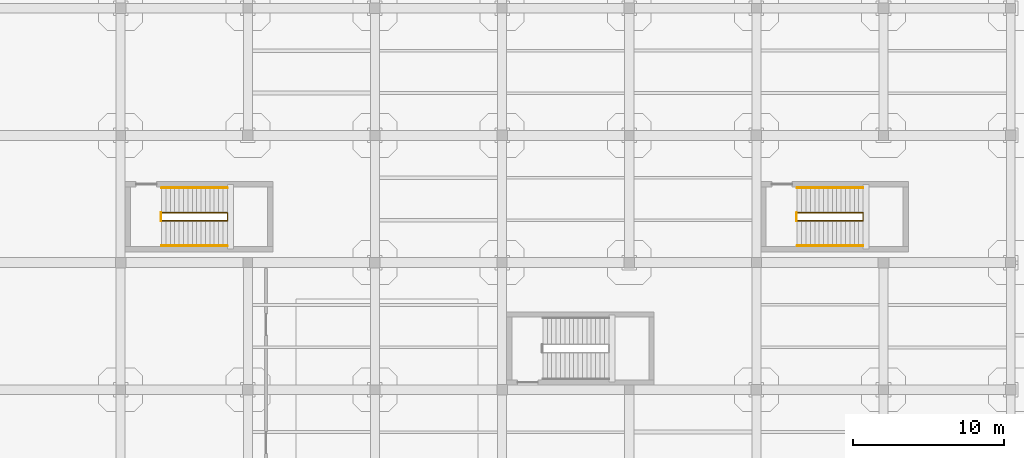
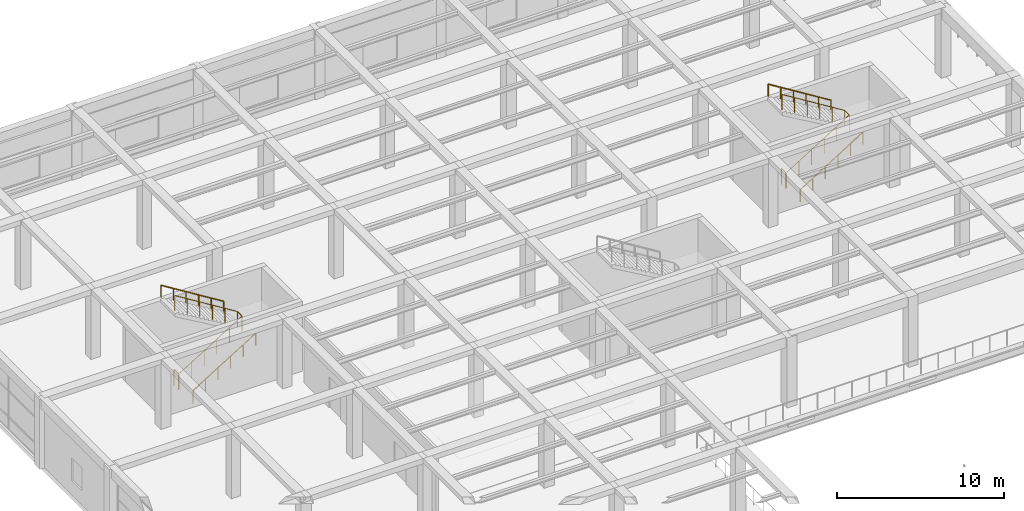
# One storey, part 59 of 65: 8 railings.
"""IFC4 building model written with IfcOpenShell, lengths in metres."""

import ifcopenshell
import ifcopenshell.guid

model = None  # the IFC model being written
_history = None  # IfcOwnerHistory: only IFC2X3 demands one
_inside = {}  # id of a spatial element -> (the spatial element, [elements in it])
_under = {}  # id of a project, library or spatial element -> (it, [spatial elements below it])
_declared = {}  # id of a project -> (the project, [libraries it declares])
_typed = {}  # id of a type object -> (the type object, [elements of that type])
_made_of = {}  # id of a material, layer set ... -> (it, [elements and type objects made of it])


def new_model(schema):
    """Start an empty IFC model of exactly this schema.

    Asked for "IFC4X3", IfcOpenShell would pick the latest addendum, in which some entities
    have other attributes; the version numbers below select the first issue.
    IFC2X3 requires an IfcOwnerHistory on every rooted entity: one is made here for all.
    """
    global model, _history
    if schema == "IFC4X3":
        model = ifcopenshell.file(schema_version=(4, 3, 0, 0))
    else:
        model = ifcopenshell.file(schema=schema)
    _inside.clear()
    _under.clear()
    _declared.clear()
    _typed.clear()
    _made_of.clear()
    _history = None
    if model.schema == "IFC2X3":
        org = make("IfcOrganization", Name="unknown")
        user = make(
            "IfcPersonAndOrganization",
            ThePerson=make("IfcPerson", FamilyName="unknown"),
            TheOrganization=org,
        )
        app = make(
            "IfcApplication",
            ApplicationDeveloper=org,
            Version="unknown",
            ApplicationFullName="unknown",
            ApplicationIdentifier="unknown",
        )
        _history = make(
            "IfcOwnerHistory",
            OwningUser=user,
            OwningApplication=app,
            ChangeAction="ADDED",
            CreationDate=0,
        )
    return model


def make(cls, **values):
    """One entity of the class cls with the attributes given. An attribute that is None is left unset."""
    return model.create_entity(
        cls, **{name: value for name, value in values.items() if value is not None}
    )


def rooted(cls, **values):
    """An entity with a GlobalId (a new one), such as an element, a storey or a relation."""
    return make(cls, GlobalId=ifcopenshell.guid.new(), OwnerHistory=_history, **values)


def si_unit(unit_type, name, prefix=None):
    """IfcSIUnit, for example si_unit("LENGTHUNIT", "METRE", prefix="MILLI")."""
    return make("IfcSIUnit", UnitType=unit_type, Prefix=prefix, Name=name)


def assignment(units):
    """IfcUnitAssignment: the units of a project."""
    return None if units is None else make("IfcUnitAssignment", Units=units)


def point(xyz):
    """IfcCartesianPoint."""
    return None if xyz is None else make("IfcCartesianPoint", Coordinates=xyz)


def direction(xyz):
    """IfcDirection."""
    return None if xyz is None else make("IfcDirection", DirectionRatios=xyz)


def frame(location, z_axis=None, x_axis=None):
    """IfcAxis2Placement3D, a coordinate frame: its origin and axes. An axis left out is left unset."""
    return make(
        "IfcAxis2Placement3D",
        Location=point(location),
        Axis=direction(z_axis),
        RefDirection=direction(x_axis),
    )


def frame_2d(location, x_axis=None):
    """IfcAxis2Placement2D, a coordinate frame in the plane: its origin and x axis."""
    return make(
        "IfcAxis2Placement2D", Location=point(location), RefDirection=direction(x_axis)
    )


def origin():
    """The frame at (0, 0, 0) with its axes left unset."""
    return frame((0.0, 0.0, 0.0))


def origin_2d():
    """The frame at (0, 0) in the plane with its x axis left unset."""
    return frame_2d((0.0, 0.0))


def place(relative_to, where):
    """IfcLocalPlacement: puts the frame where relative to a parent placement (None: the world)."""
    return make(
        "IfcLocalPlacement", PlacementRelTo=relative_to, RelativePlacement=where
    )


def context(
    kind, dimensions, precision=None, world=None, true_north=None, identifier=None
):
    """IfcGeometricRepresentationContext, for example the 3D "Model" context."""
    return make(
        "IfcGeometricRepresentationContext",
        ContextIdentifier=identifier,
        ContextType=kind,
        CoordinateSpaceDimension=dimensions,
        Precision=precision,
        WorldCoordinateSystem=world,
        TrueNorth=true_north,
    )


def subcontext(parent, identifier, kind, view, scale=None):
    """IfcGeometricRepresentationSubContext, for example "Body" below "Model"."""
    return make(
        "IfcGeometricRepresentationSubContext",
        ContextIdentifier=identifier,
        ContextType=kind,
        ParentContext=parent,
        TargetScale=scale,
        TargetView=view,
    )


def project(units=None, contexts=None):
    """IfcProject with its units and contexts."""
    return rooted(
        "IfcProject",
        Name="project",
        RepresentationContexts=contexts,
        UnitsInContext=assignment(units),
    )


def spatial(cls, under=None, at=None, **own):
    """A site, building, storey or space (cls), placed at a placement, below another one or the project."""
    s = rooted(cls, ObjectPlacement=at, **own)
    if under is not None:
        _under.setdefault(under.id(), (under, []))[1].append(s)
    return s


def profile(cls, at=None, kind="AREA", **sizes):
    """A parametric profile (cls). Its sizes go by their IFC names, for example OverallWidth=200.0."""
    return make(cls, ProfileType=kind, Position=at, **sizes)


def circle(**sizes):
    """IfcCircleProfileDef."""
    return profile("IfcCircleProfileDef", **sizes)


def extrude(swept, where, along, depth):
    """IfcExtrudedAreaSolid: the profile swept, set in the frame where, extruded along a direction by depth."""
    return make(
        "IfcExtrudedAreaSolid",
        SweptArea=swept,
        Position=where,
        ExtrudedDirection=direction(along),
        Depth=depth,
    )


def shape(context_of_items, identifier, shape_type, items):
    """IfcShapeRepresentation: the items that make up one representation, for example the "Body"."""
    return make(
        "IfcShapeRepresentation",
        ContextOfItems=context_of_items,
        RepresentationIdentifier=identifier,
        RepresentationType=shape_type,
        Items=items,
    )


def material(Name=None, Category=None):
    """IfcMaterial."""
    return make("IfcMaterial", Name=Name, Category=Category)


def made_of(thing, what):
    """Note that an element or type object is made of a material, layer set ...; save() writes the relation."""
    if what is not None:
        _made_of.setdefault(what.id(), (what, []))[1].append(thing)
    return thing


def type_object(cls, material=None, **own):
    """A type object (cls), such as IfcWallType, which elements share."""
    return made_of(rooted(cls, **own), material)


def element(
    cls,
    number,
    at=None,
    inside=None,
    cuts=None,
    type_object=None,
    material=None,
    context=None,
    identifier="Body",
    shape_type=None,
    held_by="IfcProductDefinitionShape",
    body=None,
    shapes=None,
    **own,
):
    """One element of the class cls, such as IfcWall. Its Tag is "e" and its number.

    at: its placement. inside: the storey or other place that contains it. cuts: it is an
    opening in that element (IfcRelVoidsElement). A single representation is given by context,
    identifier, shape_type and body (its items); several are given by shapes. held_by: the class
    of the entity that holds the representations. save() writes the other relations.
    """
    e = rooted(cls, Tag="e%d" % number, ObjectPlacement=at, **own)
    if body is not None:
        shapes = [shape(context, identifier, shape_type, body)]
    if shapes is not None:
        e.Representation = make(held_by, Representations=shapes)
    if inside is not None:
        _inside.setdefault(inside.id(), (inside, []))[1].append(e)
    if cuts is not None:
        rooted(
            "IfcRelVoidsElement", RelatingBuildingElement=cuts, RelatedOpeningElement=e
        )
    if type_object is not None:
        _typed.setdefault(type_object.id(), (type_object, []))[1].append(e)
    return made_of(e, material)


def aggregate(whole, parts):
    """IfcRelAggregates: a whole, such as a stair, and the parts it consists of."""
    return rooted("IfcRelAggregates", RelatingObject=whole, RelatedObjects=parts)


def save(model, path):
    """Write the relations noted so far, then the file.

    IfcRelAggregates (storeys below a building ...), IfcRelContainedInSpatialStructure (elements
    in a storey), IfcRelDefinesByType, IfcRelAssociatesMaterial and IfcRelDeclares: one each for
    every whole, place, type object, material and project.
    """
    for whole, parts in _under.values():
        aggregate(whole, parts)
    for where, things in _inside.values():
        rooted(
            "IfcRelContainedInSpatialStructure",
            RelatedElements=things,
            RelatingStructure=where,
        )
    for kind, things in _typed.values():
        rooted("IfcRelDefinesByType", RelatedObjects=things, RelatingType=kind)
    for what, things in _made_of.values():
        rooted("IfcRelAssociatesMaterial", RelatedObjects=things, RelatingMaterial=what)
    for by, libraries in _declared.values():
        rooted("IfcRelDeclares", RelatingContext=by, RelatedDefinitions=libraries)
    model.write(path)


model = new_model("IFC4")

# Units and contexts
model_context = context("Model", 3, precision=1e-05, world=origin(), true_north=direction((0.0, 1.0)))
body_context = subcontext(model_context, "Body", "Model", "MODEL_VIEW")
ifc_project = project(units=[si_unit("LENGTHUNIT", "METRE"), si_unit("AREAUNIT", "SQUARE_METRE"), si_unit("VOLUMEUNIT", "CUBIC_METRE"), si_unit("PLANEANGLEUNIT", "RADIAN"), si_unit("MASSUNIT", "GRAM", prefix="KILO")], contexts=[model_context])

# Site, building, storey
site_placement = place(None, origin())
site = spatial("IfcSite", under=ifc_project, at=site_placement, CompositionType="ELEMENT")
building_placement = place(site_placement, origin())
building = spatial("IfcBuilding", under=site, at=building_placement, Name="Almacenes y Pasaje Nevantli", CompositionType="ELEMENT")
storey_placement = place(building_placement, frame((0.0, 0.0, 16.800048828125)))
storey = spatial("IfcBuildingStorey", under=building, at=storey_placement, Name="L04", CompositionType="ELEMENT", Elevation=16.800048828125)

# Railings
ifc_material_1 = material(Name="Brushed Stainless Steel and Tempered Safety Glass", Category="steel")
railing_type_1 = type_object("IfcRailingType", Name="RL-GUARD-1100", PredefinedType="BALUSTRADE", material=ifc_material_1)
railing_1_placement = place(storey_placement, frame((11.10009765625, 95.159912109375, 0.0)))
element("IfcRailing", 1, at=railing_1_placement, inside=storey, type_object=railing_type_1, Name="L04 Stair ST-03 Inner Well Guard Balustrade", PredefinedType="BALUSTRADE", context=body_context, shape_type="SweptSolid", body=[
    extrude(circle(Radius=0.02392578125, at=origin_2d()), frame((0.025390625, 0.0, 1.1416015625), z_axis=(0.849636482215, 0.0, 0.527368797038), x_axis=(0.0, 1.0, 0.0)), (0.0, 0.0, 1.0), 5.0595703125),
    extrude(circle(Radius=0.02392578125, at=origin_2d()), frame((4.349853515625, 0.030029296875, 3.82568359375), z_axis=(0.0, 1.0, 0.0), x_axis=(-1.0, 0.0, 0.0)), (0.0, 0.0, 1.0), 0.469970703125),
    extrude(circle(Radius=0.02392578125, at=origin_2d()), frame((4.324462890625, 0.530029296875, 3.841552734375), z_axis=(-0.849636482215, 0.0, 0.527368797038), x_axis=(0.0, -1.0, 0.0)), (0.0, 0.0, 1.0), 5.0595703125),
    extrude(circle(Radius=0.02099609375, at=origin_2d()), origin(), (0.0, 0.0, 1.0), 1.096923828125),
    extrude(circle(Radius=0.02099609375, at=origin_2d()), frame((0.869873046875, 0.0, 0.5400390625)), (0.0, 0.0, 1.0), 1.096923828125),
    extrude(circle(Radius=0.02099609375, at=origin_2d()), frame((1.739990234375, 0.0, 1.080078125)), (0.0, 0.0, 1.0), 1.096923828125),
    extrude(circle(Radius=0.02099609375, at=origin_2d()), frame((2.60986328125, 0.0, 1.619873046875)), (0.0, 0.0, 1.0), 1.096923828125),
    extrude(circle(Radius=0.02099609375, at=origin_2d()), frame((3.47998046875, 0.0, 2.159912109375)), (0.0, 0.0, 1.0), 1.096923828125),
    extrude(circle(Radius=0.02099609375, at=origin_2d()), frame((4.349853515625, 0.0, 2.699951171875)), (0.0, 0.0, 1.0), 1.096923828125),
    extrude(circle(Radius=0.02099609375, at=origin_2d()), frame((4.349853515625, 0.530029296875, 2.699951171875)), (0.0, 0.0, 1.0), 1.096923828125),
    extrude(circle(Radius=0.02099609375, at=origin_2d()), frame((3.47998046875, 0.530029296875, 3.239990234375)), (0.0, 0.0, 1.0), 1.096923828125),
    extrude(circle(Radius=0.02099609375, at=origin_2d()), frame((2.60986328125, 0.530029296875, 3.780029296875)), (0.0, 0.0, 1.0), 1.096923828125),
    extrude(circle(Radius=0.02099609375, at=origin_2d()), frame((1.739990234375, 0.530029296875, 4.31982421875)), (0.0, 0.0, 1.0), 1.096923828125),
    extrude(circle(Radius=0.02099609375, at=origin_2d()), frame((0.869873046875, 0.530029296875, 4.85986328125)), (0.0, 0.0, 1.0), 1.096923828125),
    extrude(circle(Radius=0.02099609375, at=origin_2d()), frame((0.0, 0.530029296875, 5.39990234375)), (0.0, 0.0, 1.0), 1.096923828125),
])
railing_2_placement = place(storey_placement, frame((11.06005859375, 95.159912109375, 0.0)))
element("IfcRailing", 2, at=railing_2_placement, inside=storey, type_object=railing_type_1, Name="L04 Stair ST-03 Landing Well Slot Guard", PredefinedType="BALUSTRADE", context=body_context, shape_type="SweptSolid", body=[
    extrude(circle(Radius=0.02392578125, at=origin_2d()), frame((0.0, 0.030029296875, 1.1259765625), z_axis=(0.0, 1.0, 0.0), x_axis=(-1.0, 0.0, 0.0)), (0.0, 0.0, 1.0), 0.469970703125),
    extrude(circle(Radius=0.02099609375, at=origin_2d()), origin(), (0.0, 0.0, 1.0), 1.096923828125),
    extrude(circle(Radius=0.02099609375, at=origin_2d()), frame((0.0, 0.530029296875, 0.0)), (0.0, 0.0, 1.0), 1.096923828125),
])
railing_3_placement = place(storey_placement, frame((53.10009765625, 95.159912109375, 0.0)))
element("IfcRailing", 3, at=railing_3_placement, inside=storey, type_object=railing_type_1, Name="L04 Stair ST-05 Inner Well Guard Balustrade", PredefinedType="BALUSTRADE", context=body_context, shape_type="SweptSolid", body=[
    extrude(circle(Radius=0.02392578125, at=origin_2d()), frame((0.025390625, 0.0, 1.1416015625), z_axis=(0.849636482215, 0.0, 0.527368797038), x_axis=(0.0, 1.0, 0.0)), (0.0, 0.0, 1.0), 5.0595703125),
    extrude(circle(Radius=0.02392578125, at=origin_2d()), frame((4.349853515625, 0.030029296875, 3.82568359375), z_axis=(0.0, 1.0, 0.0), x_axis=(-1.0, 0.0, 0.0)), (0.0, 0.0, 1.0), 0.469970703125),
    extrude(circle(Radius=0.02392578125, at=origin_2d()), frame((4.324462890625, 0.530029296875, 3.841552734375), z_axis=(-0.849636482215, 0.0, 0.527368797038), x_axis=(0.0, -1.0, 0.0)), (0.0, 0.0, 1.0), 5.0595703125),
    extrude(circle(Radius=0.02099609375, at=origin_2d()), origin(), (0.0, 0.0, 1.0), 1.096923828125),
    extrude(circle(Radius=0.02099609375, at=origin_2d()), frame((0.869873046875, 0.0, 0.5400390625)), (0.0, 0.0, 1.0), 1.096923828125),
    extrude(circle(Radius=0.02099609375, at=origin_2d()), frame((1.739990234375, 0.0, 1.080078125)), (0.0, 0.0, 1.0), 1.096923828125),
    extrude(circle(Radius=0.02099609375, at=origin_2d()), frame((2.60986328125, 0.0, 1.619873046875)), (0.0, 0.0, 1.0), 1.096923828125),
    extrude(circle(Radius=0.02099609375, at=origin_2d()), frame((3.47998046875, 0.0, 2.159912109375)), (0.0, 0.0, 1.0), 1.096923828125),
    extrude(circle(Radius=0.02099609375, at=origin_2d()), frame((4.349853515625, 0.0, 2.699951171875)), (0.0, 0.0, 1.0), 1.096923828125),
    extrude(circle(Radius=0.02099609375, at=origin_2d()), frame((4.349853515625, 0.530029296875, 2.699951171875)), (0.0, 0.0, 1.0), 1.096923828125),
    extrude(circle(Radius=0.02099609375, at=origin_2d()), frame((3.47998046875, 0.530029296875, 3.239990234375)), (0.0, 0.0, 1.0), 1.096923828125),
    extrude(circle(Radius=0.02099609375, at=origin_2d()), frame((2.60986328125, 0.530029296875, 3.780029296875)), (0.0, 0.0, 1.0), 1.096923828125),
    extrude(circle(Radius=0.02099609375, at=origin_2d()), frame((1.739990234375, 0.530029296875, 4.31982421875)), (0.0, 0.0, 1.0), 1.096923828125),
    extrude(circle(Radius=0.02099609375, at=origin_2d()), frame((0.869873046875, 0.530029296875, 4.85986328125)), (0.0, 0.0, 1.0), 1.096923828125),
    extrude(circle(Radius=0.02099609375, at=origin_2d()), frame((0.0, 0.530029296875, 5.39990234375)), (0.0, 0.0, 1.0), 1.096923828125),
])
railing_4_placement = place(storey_placement, frame((53.06005859375, 95.159912109375, 0.0)))
element("IfcRailing", 4, at=railing_4_placement, inside=storey, type_object=railing_type_1, Name="L04 Stair ST-05 Landing Well Slot Guard", PredefinedType="BALUSTRADE", context=body_context, shape_type="SweptSolid", body=[
    extrude(circle(Radius=0.02392578125, at=origin_2d()), frame((0.0, 0.030029296875, 1.1259765625), z_axis=(0.0, 1.0, 0.0), x_axis=(-1.0, 0.0, 0.0)), (0.0, 0.0, 1.0), 0.469970703125),
    extrude(circle(Radius=0.02099609375, at=origin_2d()), origin(), (0.0, 0.0, 1.0), 1.096923828125),
    extrude(circle(Radius=0.02099609375, at=origin_2d()), frame((0.0, 0.530029296875, 0.0)), (0.0, 0.0, 1.0), 1.096923828125),
])
ifc_material_2 = material(Name="Brushed Stainless Steel Tube", Category="steel")
railing_type_2 = type_object("IfcRailingType", Name="RL-HANDRAIL-900", PredefinedType="HANDRAIL", material=ifc_material_2)
railing_5_placement = place(storey_placement, frame((11.10009765625, 93.510009765625, 0.0)))
element("IfcRailing", 5, at=railing_5_placement, inside=storey, type_object=railing_type_2, Name="L04 Stair ST-03 Lower Flight Handrail", PredefinedType="HANDRAIL", context=body_context, shape_type="SweptSolid", body=[
    extrude(circle(Radius=0.02392578125, at=origin_2d()), frame((0.025390625, 0.0, 0.8916015625), z_axis=(0.849636482215, 0.0, 0.527368797038), x_axis=(0.0, 1.0, 0.0)), (0.0, 0.0, 1.0), 5.0595703125),
    extrude(circle(Radius=0.02099609375, at=origin_2d()), origin(), (0.0, 0.0, 1.0), 0.846923828125),
    extrude(circle(Radius=0.02099609375, at=origin_2d()), frame((0.869873046875, 0.0, 0.5400390625)), (0.0, 0.0, 1.0), 0.846923828125),
    extrude(circle(Radius=0.02099609375, at=origin_2d()), frame((1.739990234375, 0.0, 1.080078125)), (0.0, 0.0, 1.0), 0.846923828125),
    extrude(circle(Radius=0.02099609375, at=origin_2d()), frame((2.60986328125, 0.0, 1.619873046875)), (0.0, 0.0, 1.0), 0.846923828125),
    extrude(circle(Radius=0.02099609375, at=origin_2d()), frame((3.47998046875, 0.0, 2.159912109375)), (0.0, 0.0, 1.0), 0.846923828125),
    extrude(circle(Radius=0.02099609375, at=origin_2d()), frame((4.349853515625, 0.0, 2.699951171875)), (0.0, 0.0, 1.0), 0.846923828125),
])
railing_6_placement = place(storey_placement, frame((15.449951171875, 97.340087890625, 2.699951171875)))
element("IfcRailing", 6, at=railing_6_placement, inside=storey, type_object=railing_type_2, Name="L04 Stair ST-03 Upper Flight Handrail", PredefinedType="HANDRAIL", context=body_context, shape_type="SweptSolid", body=[
    extrude(circle(Radius=0.02392578125, at=origin_2d()), frame((-0.025390625, 0.0, 0.8916015625), z_axis=(-0.849636482215, 0.0, 0.527368797038), x_axis=(0.0, -1.0, 0.0)), (0.0, 0.0, 1.0), 5.0595703125),
    extrude(circle(Radius=0.02099609375, at=origin_2d()), origin(), (0.0, 0.0, 1.0), 0.846923828125),
    extrude(circle(Radius=0.02099609375, at=origin_2d()), frame((-0.869873046875, 0.0, 0.5400390625)), (0.0, 0.0, 1.0), 0.846923828125),
    extrude(circle(Radius=0.02099609375, at=origin_2d()), frame((-1.739990234375, 0.0, 1.080078125)), (0.0, 0.0, 1.0), 0.846923828125),
    extrude(circle(Radius=0.02099609375, at=origin_2d()), frame((-2.60986328125, 0.0, 1.619873046875)), (0.0, 0.0, 1.0), 0.846923828125),
    extrude(circle(Radius=0.02099609375, at=origin_2d()), frame((-3.47998046875, 0.0, 2.159912109375)), (0.0, 0.0, 1.0), 0.846923828125),
    extrude(circle(Radius=0.02099609375, at=origin_2d()), frame((-4.349853515625, 0.0, 2.699951171875)), (0.0, 0.0, 1.0), 0.846923828125),
])
railing_7_placement = place(storey_placement, frame((53.10009765625, 93.510009765625, 0.0)))
element("IfcRailing", 7, at=railing_7_placement, inside=storey, type_object=railing_type_2, Name="L04 Stair ST-05 Lower Flight Handrail", PredefinedType="HANDRAIL", context=body_context, shape_type="SweptSolid", body=[
    extrude(circle(Radius=0.02392578125, at=origin_2d()), frame((0.025390625, 0.0, 0.8916015625), z_axis=(0.849636482215, 0.0, 0.527368797038), x_axis=(0.0, 1.0, 0.0)), (0.0, 0.0, 1.0), 5.0595703125),
    extrude(circle(Radius=0.02099609375, at=origin_2d()), origin(), (0.0, 0.0, 1.0), 0.846923828125),
    extrude(circle(Radius=0.02099609375, at=origin_2d()), frame((0.869873046875, 0.0, 0.5400390625)), (0.0, 0.0, 1.0), 0.846923828125),
    extrude(circle(Radius=0.02099609375, at=origin_2d()), frame((1.739990234375, 0.0, 1.080078125)), (0.0, 0.0, 1.0), 0.846923828125),
    extrude(circle(Radius=0.02099609375, at=origin_2d()), frame((2.60986328125, 0.0, 1.619873046875)), (0.0, 0.0, 1.0), 0.846923828125),
    extrude(circle(Radius=0.02099609375, at=origin_2d()), frame((3.47998046875, 0.0, 2.159912109375)), (0.0, 0.0, 1.0), 0.846923828125),
    extrude(circle(Radius=0.02099609375, at=origin_2d()), frame((4.349853515625, 0.0, 2.699951171875)), (0.0, 0.0, 1.0), 0.846923828125),
])
railing_8_placement = place(storey_placement, frame((57.449951171875, 97.340087890625, 2.699951171875)))
element("IfcRailing", 8, at=railing_8_placement, inside=storey, type_object=railing_type_2, Name="L04 Stair ST-05 Upper Flight Handrail", PredefinedType="HANDRAIL", context=body_context, shape_type="SweptSolid", body=[
    extrude(circle(Radius=0.02392578125, at=origin_2d()), frame((-0.025390625, 0.0, 0.8916015625), z_axis=(-0.849636482215, 0.0, 0.527368797038), x_axis=(0.0, -1.0, 0.0)), (0.0, 0.0, 1.0), 5.0595703125),
    extrude(circle(Radius=0.02099609375, at=origin_2d()), origin(), (0.0, 0.0, 1.0), 0.846923828125),
    extrude(circle(Radius=0.02099609375, at=origin_2d()), frame((-0.869873046875, 0.0, 0.5400390625)), (0.0, 0.0, 1.0), 0.846923828125),
    extrude(circle(Radius=0.02099609375, at=origin_2d()), frame((-1.739990234375, 0.0, 1.080078125)), (0.0, 0.0, 1.0), 0.846923828125),
    extrude(circle(Radius=0.02099609375, at=origin_2d()), frame((-2.60986328125, 0.0, 1.619873046875)), (0.0, 0.0, 1.0), 0.846923828125),
    extrude(circle(Radius=0.02099609375, at=origin_2d()), frame((-3.47998046875, 0.0, 2.159912109375)), (0.0, 0.0, 1.0), 0.846923828125),
    extrude(circle(Radius=0.02099609375, at=origin_2d()), frame((-4.349853515625, 0.0, 2.699951171875)), (0.0, 0.0, 1.0), 0.846923828125),
])

save(model, "model.ifc")
